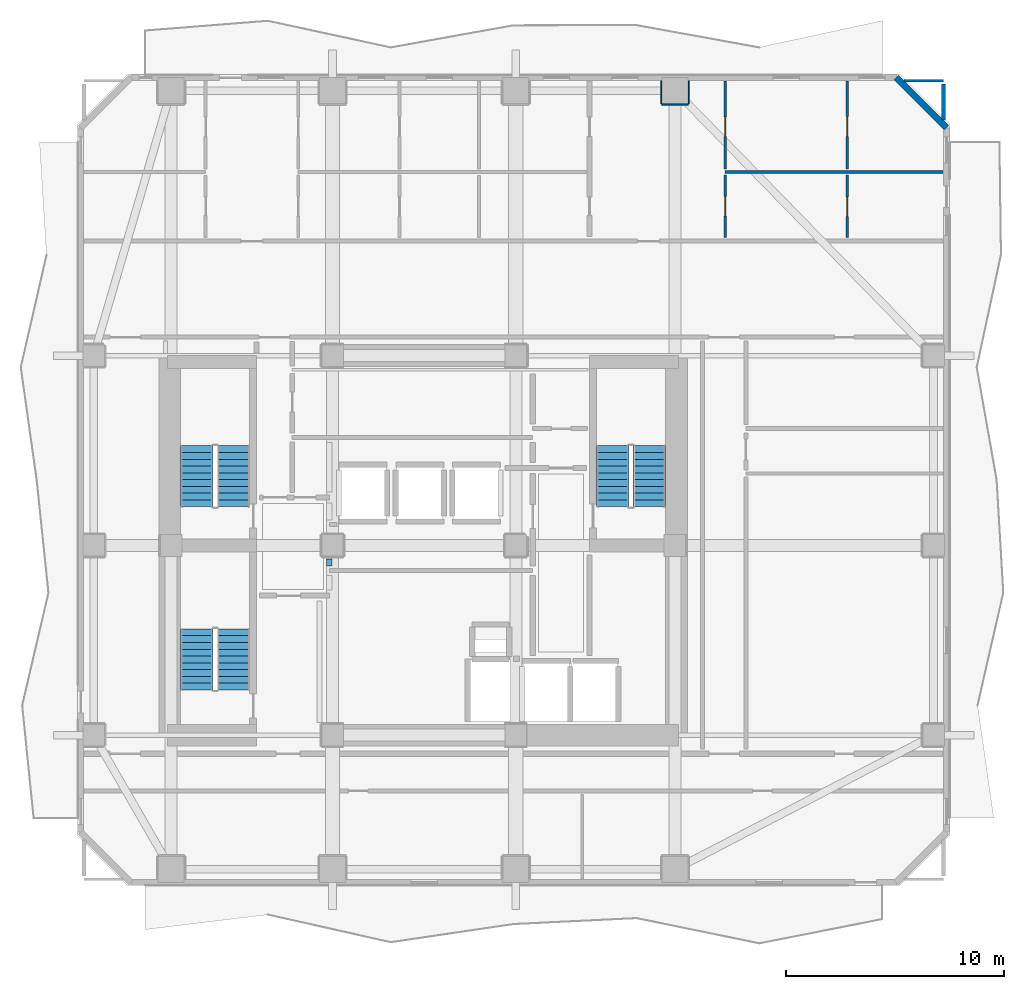
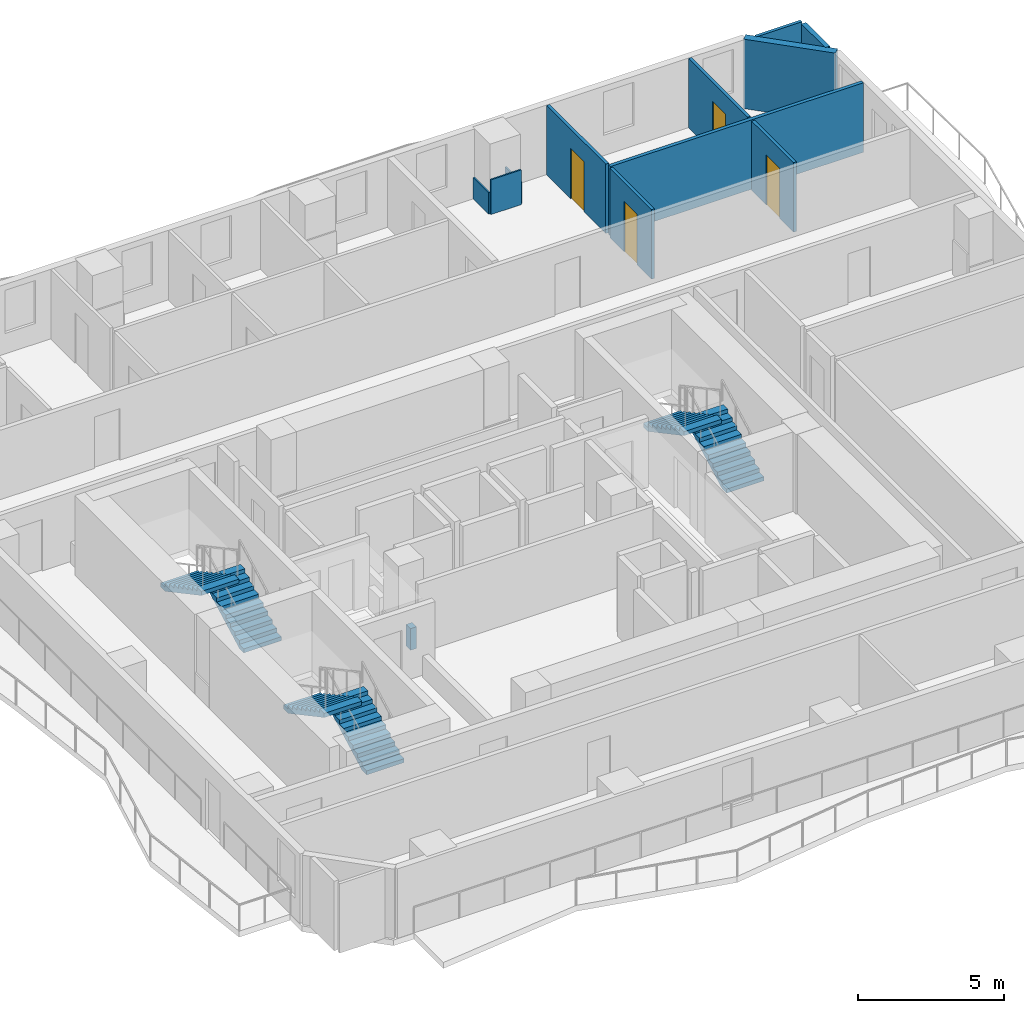
# One storey, part 6 of 9: 12 walls, 6 stair flights, 4 doors, 4 openings, 3 elements without a shape of their own.
"""IFC4 building model written with IfcOpenShell, lengths in metres."""

from ifc_helpers import new_model, si_unit, direction, frame, frame_2d, origin, place, context, subcontext, project, spatial, polyline, rectangle, outline, extrude, material, layer, layer_set, type_object, element, fill, aggregate, save


model = new_model("IFC4")

# Units and contexts
model_context = context("Model", 3, precision=1e-05, world=origin(), true_north=direction((0.0, 1.0)))
body_context = subcontext(model_context, "Body", "Model", "MODEL_VIEW")
ifc_project = project(units=[si_unit("LENGTHUNIT", "METRE"), si_unit("AREAUNIT", "SQUARE_METRE"), si_unit("VOLUMEUNIT", "CUBIC_METRE"), si_unit("PLANEANGLEUNIT", "RADIAN"), si_unit("MASSUNIT", "GRAM", prefix="KILO")], contexts=[model_context])

# Site, building, storey
site_placement = place(None, origin())
site = spatial("IfcSite", under=ifc_project, at=site_placement, CompositionType="ELEMENT")
building_placement = place(site_placement, origin())
building = spatial("IfcBuilding", under=site, at=building_placement, Name="Solanera Arch Residences", CompositionType="ELEMENT")
storey_placement = place(building_placement, frame((0.0, 0.0, 162.52001953125)))
storey = spatial("IfcBuildingStorey", under=building, at=storey_placement, Name="L47", CompositionType="ELEMENT", Elevation=162.52001953125)

# Walls
ifc_material_1 = material(Name="Fire-Rated Gypsum Stud Partition", Category="gypsum")
ifc_layer_1 = layer(ifc_material_1, 0.06005859375)
ifc_layer_set_1 = layer_set([ifc_layer_1], Name="Fire-Rated Gypsum Stud Partition")
wall_type_1 = type_object("IfcWallType", Name="Column Acoustic Furring Wall 60", PredefinedType="PARTITIONING", material=ifc_layer_set_1)
wall_1_placement = place(storey_placement, frame((35.89990234375, 50.91796875, 0.0), z_axis=(0.0, 0.0, 1.0), x_axis=(1.0, 0.0, 0.0)))
element("IfcWall", 1, at=wall_1_placement, inside=storey, type_object=wall_type_1, Name="L47 Column Furring 16S", PredefinedType="PARTITIONING", context=body_context, shape_type="SweptSolid", body=[
    extrude(rectangle(XDim=1.2001953125, YDim=0.06005859375, at=frame_2d((0.60009765625, 0.0))), origin(), (0.0, 0.0, 1.0), 1.449951171875),
])
for number, where, z_axis, x_axis, name in (
    (2, (35.867919921875, 50.949951171875, 0.0), (0.0, 0.0, 1.0), (0.0, 1.0, 0.0), "L47 Column Furring 16W"),
    (3, (37.132080078125, 50.949951171875, 0.0), (0.0, 0.0, 1.0), (0.0, 1.0, 0.0), "L47 Column Furring 16E"),
):
    element("IfcWall", number, at=place(storey_placement, frame(where, z_axis=z_axis, x_axis=x_axis)), inside=storey, type_object=wall_type_1, Name=name, PredefinedType="PARTITIONING", context=body_context, shape_type="SweptSolid", body=[
        extrude(rectangle(XDim=1.0400390625, YDim=0.06005859375, at=frame_2d((0.52001953125, 0.0))), origin(), (0.0, 0.0, 1.0), 0.905029296875),
    ])
ifc_material_2 = material(Name="Autoclaved Aerated Concrete Blockwork", Category="masonry")
ifc_layer_2 = layer(ifc_material_2, 0.179931640625)
ifc_layer_set_2 = layer_set([ifc_layer_2], Name="Autoclaved Aerated Concrete Blockwork")
wall_type_2 = type_object("IfcWallType", Name="Corridor Fire Partition 180", PredefinedType="PARTITIONING", material=ifc_layer_set_2)
wall_2_placement = place(storey_placement, frame((48.800048828125, 50.205078125, 0.0), z_axis=(0.0, 0.0, 1.0), x_axis=(0.0, 1.0, 0.0)))
element("IfcWall", 4, at=wall_2_placement, inside=storey, type_object=wall_type_2, Name="L47 Interior Partition V13 2", PredefinedType="PARTITIONING", context=body_context, shape_type="SweptSolid", body=[
    extrude(rectangle(XDim=1.636962890625, YDim=0.179931640625, at=frame_2d((0.818359375, 0.0))), origin(), (0.0, 0.0, 1.0), 2.89990234375),
])
ifc_material_3 = material(Name="Precast Concrete C35/45", Category="concrete")
ifc_layer_3 = layer(ifc_material_3, 0.280029296875)
ifc_layer_set_3 = layer_set([ifc_layer_3], Name="Precast Concrete C35/45")
wall_type_3 = type_object("IfcWallType", Name="Exterior Wall Precast Masonry-Frame 280", PredefinedType="STANDARD", material=ifc_layer_set_3)
wall_3_placement = place(storey_placement, frame((46.64501953125, 52.14501953125, 0.0), z_axis=(0.0, 0.0, 1.0), x_axis=(0.707106781187, -0.707106781187, 0.0)))
element("IfcWall", 5, at=wall_3_placement, inside=storey, type_object=wall_type_3, Name="L47 Tower Exterior Precast Masonry-Frame Wall CH3", PredefinedType="STANDARD", context=body_context, shape_type="SweptSolid", body=[
    extrude(rectangle(XDim=3.252685546875, YDim=0.280029296875, at=frame_2d((1.62646484375, 0.0))), origin(), (0.0, 0.0, 1.0), 2.89990234375),
])
ifc_material_4 = material(Name="Autoclaved Aerated Concrete Blockwork", Category="masonry")
ifc_layer_4 = layer(ifc_material_4, 0.239990234375)
ifc_layer_set_4 = layer_set([ifc_layer_4], Name="Autoclaved Aerated Concrete Blockwork")
wall_type_4 = type_object("IfcWallType", Name="Shaft Wall Fire-Rated 240", PredefinedType="PARTITIONING", material=ifc_layer_set_4)
wall_4_placement = place(storey_placement, frame((20.64990234375, 29.76806640625, 0.0), z_axis=(0.0, 0.0, 1.0), x_axis=(0.0, 1.0, 0.0)))
element("IfcWall", 6, at=wall_4_placement, inside=storey, type_object=wall_type_4, Name="L47 Interior Partition V3 2", PredefinedType="PARTITIONING", context=body_context, shape_type="SweptSolid", body=[
    extrude(rectangle(XDim=0.300048828125, YDim=0.239990234375, at=frame_2d((0.14990234375, 0.0))), origin(), (0.0, 0.0, 1.0), 0.905029296875),
])
ifc_material_5 = material(Name="Fire-Rated Gypsum Stud Partition", Category="gypsum")
ifc_layer_5 = layer(ifc_material_5, 0.1201171875)
ifc_layer_set_5 = layer_set([ifc_layer_5], Name="Fire-Rated Gypsum Stud Partition")
wall_type_5 = type_object("IfcWallType", Name="Unit Drywall Partition 120", PredefinedType="PARTITIONING", material=ifc_layer_set_5)
wall_5_placement = place(storey_placement, frame((47.0048828125, 52.0, 0.0), z_axis=(0.0, 0.0, 1.0), x_axis=(1.0, 0.0, 0.0)))
element("IfcWall", 7, at=wall_5_placement, inside=storey, type_object=wall_type_5, Name="L47 Interior Partition H20 2", PredefinedType="PARTITIONING", context=body_context, shape_type="SweptSolid", body=[
    extrude(rectangle(XDim=1.795166015625, YDim=0.1201171875, at=frame_2d((0.8974609375, 0.0))), origin(), (0.0, 0.0, 1.0), 2.89990234375),
])

# Wall, opening, door
wall_6_placement = place(storey_placement, frame((38.798095703125, 44.80810546875, 0.0), z_axis=(0.0, 0.0, 1.0), x_axis=(0.0, 1.0, 0.0)))
wall_6 = element("IfcWall", 8, at=wall_6_placement, inside=storey, type_object=wall_type_5, Name="L47 Interior Partition V19 1", PredefinedType="PARTITIONING", context=body_context, shape_type="SweptSolid", body=[
    extrude(rectangle(XDim=2.864013671875, YDim=0.1201171875, at=frame_2d((1.43212890625, 0.0))), origin(), (0.0, 0.0, 1.0), 2.89990234375),
])
opening_1_placement = place(wall_6_placement, frame((0.985107421875, 0.0, 0.0)))
opening_1 = element("IfcOpeningElement", 9, at=opening_1_placement, cuts=wall_6, Name="Opening DI-02", PredefinedType="OPENING", context=body_context, shape_type="SweptSolid", body=[
    extrude(rectangle(XDim=0.89990234375, YDim=2.10009765625, at=frame_2d((0.449951171875, 1.050048828125))), frame((0.0, 0.070068359375, 0.0), z_axis=(0.0, -1.0, 0.0), x_axis=(1.0, 0.0, 0.0)), (0.0, 0.0, 1.0), 0.1401),
])
ifc_material_6 = material(Name="Fire-Rated Architectural Hardwood", Category="wood")
door_type_1 = type_object("IfcDoorType", Name="Suite Room Swing Door DI-02", OperationType="NOTDEFINED", PredefinedType="DOOR", material=ifc_material_6)
door_1_placement = place(opening_1_placement, origin())
door_1 = element("IfcDoor", 10, at=door_1_placement, inside=storey, type_object=door_type_1, Name="DR-L47-IN-029", OperationType="SINGLE_SWING_LEFT", OverallHeight=2.10009765625, OverallWidth=0.89990234375, PredefinedType="DOOR", context=body_context, shape_type="SweptSolid", body=[
    extrude(rectangle(XDim=0.89990234375, YDim=2.10009765625, at=frame_2d((0.449951171875, 1.050048828125))), frame((0.0, 0.02490234375, 0.0), z_axis=(0.0, -1.0, 0.0), x_axis=(1.0, 0.0, 0.0)), (0.0, 0.0, 1.0), 0.050048828125),
])
fill(opening_1, door_1)

wall_7_placement = place(storey_placement, frame((38.798095703125, 47.947998046875, 0.0), z_axis=(0.0, 0.0, 1.0), x_axis=(0.0, 1.0, 0.0)))
wall_7 = element("IfcWall", 11, at=wall_7_placement, inside=storey, type_object=wall_type_5, Name="L47 Interior Partition V19 2", PredefinedType="PARTITIONING", context=body_context, shape_type="SweptSolid", body=[
    extrude(rectangle(XDim=4.044921875, YDim=0.1201171875, at=frame_2d((2.0224609375, 0.0))), origin(), (0.0, 0.0, 1.0), 2.89990234375),
])
opening_2_placement = place(wall_7_placement, frame((1.493896484375, 0.0, 0.0)))
opening_2 = element("IfcOpeningElement", 12, at=opening_2_placement, cuts=wall_7, Name="Opening DI-03", PredefinedType="OPENING", context=body_context, shape_type="SweptSolid", body=[
    extrude(rectangle(XDim=0.89990234375, YDim=2.10009765625, at=frame_2d((0.449951171875, 1.050048828125))), frame((0.0, 0.070068359375, 0.0), z_axis=(0.0, -1.0, 0.0), x_axis=(1.0, 0.0, 0.0)), (0.0, 0.0, 1.0), 0.1401),
])
ifc_material_7 = material(Name="Fire-Rated Architectural Hardwood", Category="wood")
door_type_2 = type_object("IfcDoorType", Name="Bedroom Swing Door DI-03", OperationType="NOTDEFINED", PredefinedType="DOOR", material=ifc_material_7)
door_2_placement = place(opening_2_placement, origin())
door_2 = element("IfcDoor", 13, at=door_2_placement, inside=storey, type_object=door_type_2, Name="DR-L47-IN-031", OperationType="SINGLE_SWING_LEFT", OverallHeight=2.10009765625, OverallWidth=0.89990234375, PredefinedType="DOOR", context=body_context, shape_type="SweptSolid", body=[
    extrude(rectangle(XDim=0.89990234375, YDim=2.10009765625, at=frame_2d((0.449951171875, 1.050048828125))), frame((0.0, 0.02490234375, 0.0), z_axis=(0.0, -1.0, 0.0), x_axis=(1.0, 0.0, 0.0)), (0.0, 0.0, 1.0), 0.050048828125),
])
fill(opening_2, door_2)

wall_8_placement = place(storey_placement, frame((44.39892578125, 44.80810546875, 0.0), z_axis=(0.0, 0.0, 1.0), x_axis=(0.0, 1.0, 0.0)))
wall_8 = element("IfcWall", 14, at=wall_8_placement, inside=storey, type_object=wall_type_5, Name="L47 Interior Partition V20 1", PredefinedType="PARTITIONING", context=body_context, shape_type="SweptSolid", body=[
    extrude(rectangle(XDim=2.864013671875, YDim=0.1201171875, at=frame_2d((1.43212890625, 0.0))), origin(), (0.0, 0.0, 1.0), 2.89990234375),
])
opening_3_placement = place(wall_8_placement, frame((0.971923828125, 0.0, 0.0)))
opening_3 = element("IfcOpeningElement", 15, at=opening_3_placement, cuts=wall_8, Name="Opening DI-02", PredefinedType="OPENING", context=body_context, shape_type="SweptSolid", body=[
    extrude(rectangle(XDim=0.89990234375, YDim=2.10009765625, at=frame_2d((0.449951171875, 1.050048828125))), frame((0.0, 0.070068359375, 0.0), z_axis=(0.0, -1.0, 0.0), x_axis=(1.0, 0.0, 0.0)), (0.0, 0.0, 1.0), 0.1401),
])
door_3_placement = place(opening_3_placement, origin())
door_3 = element("IfcDoor", 16, at=door_3_placement, inside=storey, type_object=door_type_1, Name="DR-L47-IN-030", OperationType="SINGLE_SWING_RIGHT", OverallHeight=2.10009765625, OverallWidth=0.89990234375, PredefinedType="DOOR", context=body_context, shape_type="SweptSolid", body=[
    extrude(rectangle(XDim=0.89990234375, YDim=2.10009765625, at=frame_2d((0.449951171875, 1.050048828125))), frame((0.0, 0.02490234375, 0.0), z_axis=(0.0, -1.0, 0.0), x_axis=(1.0, 0.0, 0.0)), (0.0, 0.0, 1.0), 0.050048828125),
])
fill(opening_3, door_3)

wall_9_placement = place(storey_placement, frame((44.39892578125, 47.947998046875, 0.0), z_axis=(0.0, 0.0, 1.0), x_axis=(0.0, 1.0, 0.0)))
wall_9 = element("IfcWall", 17, at=wall_9_placement, inside=storey, type_object=wall_type_5, Name="L47 Interior Partition V20 2", PredefinedType="PARTITIONING", context=body_context, shape_type="SweptSolid", body=[
    extrude(rectangle(XDim=4.044921875, YDim=0.1201171875, at=frame_2d((2.0224609375, 0.0))), origin(), (0.0, 0.0, 1.0), 2.89990234375),
])
opening_4_placement = place(wall_9_placement, frame((1.507080078125, 0.0, 0.0)))
opening_4 = element("IfcOpeningElement", 18, at=opening_4_placement, cuts=wall_9, Name="Opening DI-03", PredefinedType="OPENING", context=body_context, shape_type="SweptSolid", body=[
    extrude(rectangle(XDim=0.89990234375, YDim=2.10009765625, at=frame_2d((0.449951171875, 1.050048828125))), frame((0.0, 0.070068359375, 0.0), z_axis=(0.0, -1.0, 0.0), x_axis=(1.0, 0.0, 0.0)), (0.0, 0.0, 1.0), 0.1401),
])
door_4_placement = place(opening_4_placement, origin())
door_4 = element("IfcDoor", 19, at=door_4_placement, inside=storey, type_object=door_type_2, Name="DR-L47-IN-032", OperationType="SINGLE_SWING_RIGHT", OverallHeight=2.10009765625, OverallWidth=0.89990234375, PredefinedType="DOOR", context=body_context, shape_type="SweptSolid", body=[
    extrude(rectangle(XDim=0.89990234375, YDim=2.10009765625, at=frame_2d((0.449951171875, 1.050048828125))), frame((0.0, 0.02490234375, 0.0), z_axis=(0.0, -1.0, 0.0), x_axis=(1.0, 0.0, 0.0)), (0.0, 0.0, 1.0), 0.050048828125),
])
fill(opening_4, door_4)

# Wall
ifc_material_8 = material(Name="Autoclaved Aerated Concrete Blockwork", Category="masonry")
ifc_layer_6 = layer(ifc_material_8, 0.139892578125)
ifc_layer_set_6 = layer_set([ifc_layer_6], Name="Autoclaved Aerated Concrete Blockwork")
wall_type_6 = type_object("IfcWallType", Name="Wet-Room Partition 140", PredefinedType="PARTITIONING", material=ifc_layer_set_6)
wall_10_placement = place(storey_placement, frame((38.798095703125, 47.81005859375, 0.0), z_axis=(0.0, 0.0, 1.0), x_axis=(1.0, 0.0, 0.0)))
element("IfcWall", 20, at=wall_10_placement, inside=storey, type_object=wall_type_6, Name="L47 Interior Partition H17", PredefinedType="PARTITIONING", context=body_context, shape_type="SweptSolid", body=[
    extrude(rectangle(XDim=9.994873046875, YDim=0.139892578125, at=frame_2d((4.99755859375, 0.0))), origin(), (0.0, 0.0, 1.0), 2.89990234375),
])

# Stair, stair flights
ifc_material_9 = material(Name="Concrete C40/50 (f'c = 45 MPa)", Category="concrete")
stair_type = type_object("IfcStairType", Name="Tower Dogleg Exit Stair 1480", PredefinedType="HALF_TURN_STAIR", material=ifc_material_9)
stair_1_placement = place(storey_placement, origin())
stair_1 = element("IfcStair", 21, at=stair_1_placement, inside=storey, type_object=stair_type, Name="L47 Tower Core Exit Stair 1", PredefinedType="HALF_TURN_STAIR")
ifc_material_10 = material(Name="Concrete C40/50 (f'c = 45 MPa)", Category="concrete")
stair_flight_type = type_object("IfcStairFlightType", Name="Tower Precast Stair Flight 1480", PredefinedType="STRAIGHT", material=ifc_material_10)
stair_flight_1_placement = place(storey_placement, frame((16.260009765625, 32.47998046875, 0.0), z_axis=(0.0, 0.0, 1.0), x_axis=(0.0, 1.0, 0.0)))
stair_flight_1 = element("IfcStairFlight", 22, at=stair_flight_1_placement, type_object=stair_flight_type, Name="ST-T1 flight 1", NumberOfRisers=10, NumberOfTreads=9, PredefinedType="STRAIGHT", RiserHeight=0.166, TreadLength=0.31, context=body_context, shape_type="SweptSolid", body=[
    extrude(outline(polyline([(0.0, 0.0), (0.0, 0.166015625), (0.31005859375, 0.166015625), (0.31005859375, 0.33203125), (0.6201171875, 0.33203125), (0.6201171875, 0.498046875), (0.929931640625, 0.498046875), (0.929931640625, 0.6640625), (1.239990234375, 0.6640625), (1.239990234375, 0.830078125), (1.550048828125, 0.830078125), (1.550048828125, 0.99609375), (1.860107421875, 0.99609375), (1.860107421875, 1.162109375), (2.169921875, 1.162109375), (2.169921875, 1.327880859375), (2.47998046875, 1.327880859375), (2.47998046875, 1.493896484375), (2.7900390625, 1.493896484375), (2.7900390625, 1.659912109375), (2.7900390625, 1.323974609375), (0.317626953125, 0.0), (0.0, 0.0)])), frame((0.0, 0.739990234375, 0.0), z_axis=(0.0, -1.0, 0.0), x_axis=(1.0, 0.0, 0.0)), (0.0, 0.0, 1.0), 1.47998046875),
])
stair_flight_2_placement = place(storey_placement, frame((14.580078125, 35.27001953125, 1.659912109375), z_axis=(0.0, 0.0, 1.0), x_axis=(0.0, -1.0, 0.0)))
stair_flight_2 = element("IfcStairFlight", 23, at=stair_flight_2_placement, type_object=stair_flight_type, Name="ST-T1 flight 2", NumberOfRisers=10, NumberOfTreads=9, PredefinedType="STRAIGHT", RiserHeight=0.166, TreadLength=0.31, context=body_context, shape_type="SweptSolid", body=[
    extrude(outline(polyline([(0.0, 0.0), (0.0, 0.166015625), (0.31005859375, 0.166015625), (0.31005859375, 0.33203125), (0.6201171875, 0.33203125), (0.6201171875, 0.498046875), (0.929931640625, 0.498046875), (0.929931640625, 0.6640625), (1.239990234375, 0.6640625), (1.239990234375, 0.830078125), (1.550048828125, 0.830078125), (1.550048828125, 0.99609375), (1.860107421875, 0.99609375), (1.860107421875, 1.162109375), (2.169921875, 1.162109375), (2.169921875, 1.327880859375), (2.47998046875, 1.327880859375), (2.47998046875, 1.493896484375), (2.7900390625, 1.493896484375), (2.7900390625, 1.659912109375), (2.7900390625, 1.323974609375), (0.317626953125, 0.0), (0.0, 0.0)])), frame((0.0, 0.739990234375, 0.0), z_axis=(0.0, -1.0, 0.0), x_axis=(1.0, 0.0, 0.0)), (0.0, 0.0, 1.0), 1.47998046875),
])
aggregate(stair_1, [stair_flight_1, stair_flight_2])

stair_2_placement = place(storey_placement, origin())
stair_2 = element("IfcStair", 24, at=stair_2_placement, inside=storey, type_object=stair_type, Name="L47 Tower Core Exit Stair 2", PredefinedType="HALF_TURN_STAIR")
stair_flight_3_placement = place(storey_placement, frame((35.320068359375, 32.47998046875, 0.0), z_axis=(0.0, 0.0, 1.0), x_axis=(0.0, 1.0, 0.0)))
stair_flight_3 = element("IfcStairFlight", 25, at=stair_flight_3_placement, type_object=stair_flight_type, Name="ST-T2 flight 1", NumberOfRisers=10, NumberOfTreads=9, PredefinedType="STRAIGHT", RiserHeight=0.166, TreadLength=0.31, context=body_context, shape_type="SweptSolid", body=[
    extrude(outline(polyline([(0.0, 0.0), (0.0, 0.166015625), (0.31005859375, 0.166015625), (0.31005859375, 0.33203125), (0.6201171875, 0.33203125), (0.6201171875, 0.498046875), (0.929931640625, 0.498046875), (0.929931640625, 0.6640625), (1.239990234375, 0.6640625), (1.239990234375, 0.830078125), (1.550048828125, 0.830078125), (1.550048828125, 0.99609375), (1.860107421875, 0.99609375), (1.860107421875, 1.162109375), (2.169921875, 1.162109375), (2.169921875, 1.327880859375), (2.47998046875, 1.327880859375), (2.47998046875, 1.493896484375), (2.7900390625, 1.493896484375), (2.7900390625, 1.659912109375), (2.7900390625, 1.323974609375), (0.317626953125, 0.0), (0.0, 0.0)])), frame((0.0, 0.739990234375, 0.0), z_axis=(0.0, -1.0, 0.0), x_axis=(1.0, 0.0, 0.0)), (0.0, 0.0, 1.0), 1.47998046875),
])
stair_flight_4_placement = place(storey_placement, frame((33.639892578125, 35.27001953125, 1.659912109375), z_axis=(0.0, 0.0, 1.0), x_axis=(0.0, -1.0, 0.0)))
stair_flight_4 = element("IfcStairFlight", 26, at=stair_flight_4_placement, type_object=stair_flight_type, Name="ST-T2 flight 2", NumberOfRisers=10, NumberOfTreads=9, PredefinedType="STRAIGHT", RiserHeight=0.166, TreadLength=0.31, context=body_context, shape_type="SweptSolid", body=[
    extrude(outline(polyline([(0.0, 0.0), (0.0, 0.166015625), (0.31005859375, 0.166015625), (0.31005859375, 0.33203125), (0.6201171875, 0.33203125), (0.6201171875, 0.498046875), (0.929931640625, 0.498046875), (0.929931640625, 0.6640625), (1.239990234375, 0.6640625), (1.239990234375, 0.830078125), (1.550048828125, 0.830078125), (1.550048828125, 0.99609375), (1.860107421875, 0.99609375), (1.860107421875, 1.162109375), (2.169921875, 1.162109375), (2.169921875, 1.327880859375), (2.47998046875, 1.327880859375), (2.47998046875, 1.493896484375), (2.7900390625, 1.493896484375), (2.7900390625, 1.659912109375), (2.7900390625, 1.323974609375), (0.317626953125, 0.0), (0.0, 0.0)])), frame((0.0, 0.739990234375, 0.0), z_axis=(0.0, -1.0, 0.0), x_axis=(1.0, 0.0, 0.0)), (0.0, 0.0, 1.0), 1.47998046875),
])
aggregate(stair_2, [stair_flight_3, stair_flight_4])

stair_3_placement = place(storey_placement, origin())
stair_3 = element("IfcStair", 27, at=stair_3_placement, inside=storey, type_object=stair_type, Name="L47 Tower Core Exit Stair 3", PredefinedType="HALF_TURN_STAIR")
stair_flight_5_placement = place(storey_placement, frame((16.260009765625, 24.080078125, 0.0), z_axis=(0.0, 0.0, 1.0), x_axis=(0.0, 1.0, 0.0)))
stair_flight_5 = element("IfcStairFlight", 28, at=stair_flight_5_placement, type_object=stair_flight_type, Name="ST-T3 flight 1", NumberOfRisers=10, NumberOfTreads=9, PredefinedType="STRAIGHT", RiserHeight=0.166, TreadLength=0.31, context=body_context, shape_type="SweptSolid", body=[
    extrude(outline(polyline([(0.0, 0.0), (0.0, 0.166015625), (0.31005859375, 0.166015625), (0.31005859375, 0.33203125), (0.6201171875, 0.33203125), (0.6201171875, 0.498046875), (0.929931640625, 0.498046875), (0.929931640625, 0.6640625), (1.239990234375, 0.6640625), (1.239990234375, 0.830078125), (1.550048828125, 0.830078125), (1.550048828125, 0.99609375), (1.860107421875, 0.99609375), (1.860107421875, 1.162109375), (2.169921875, 1.162109375), (2.169921875, 1.327880859375), (2.47998046875, 1.327880859375), (2.47998046875, 1.493896484375), (2.7900390625, 1.493896484375), (2.7900390625, 1.659912109375), (2.7900390625, 1.323974609375), (0.317626953125, 0.0), (0.0, 0.0)])), frame((0.0, 0.739990234375, 0.0), z_axis=(0.0, -1.0, 0.0), x_axis=(1.0, 0.0, 0.0)), (0.0, 0.0, 1.0), 1.47998046875),
])
stair_flight_6_placement = place(storey_placement, frame((14.580078125, 26.8701171875, 1.659912109375), z_axis=(0.0, 0.0, 1.0), x_axis=(0.0, -1.0, 0.0)))
stair_flight_6 = element("IfcStairFlight", 29, at=stair_flight_6_placement, type_object=stair_flight_type, Name="ST-T3 flight 2", NumberOfRisers=10, NumberOfTreads=9, PredefinedType="STRAIGHT", RiserHeight=0.166, TreadLength=0.31, context=body_context, shape_type="SweptSolid", body=[
    extrude(outline(polyline([(0.0, 0.0), (0.0, 0.166015625), (0.31005859375, 0.166015625), (0.31005859375, 0.33203125), (0.6201171875, 0.33203125), (0.6201171875, 0.498046875), (0.929931640625, 0.498046875), (0.929931640625, 0.6640625), (1.239990234375, 0.6640625), (1.239990234375, 0.830078125), (1.550048828125, 0.830078125), (1.550048828125, 0.99609375), (1.860107421875, 0.99609375), (1.860107421875, 1.162109375), (2.169921875, 1.162109375), (2.169921875, 1.327880859375), (2.47998046875, 1.327880859375), (2.47998046875, 1.493896484375), (2.7900390625, 1.493896484375), (2.7900390625, 1.659912109375), (2.7900390625, 1.323974609375), (0.317626953125, 0.0), (0.0, 0.0)])), frame((0.0, 0.739990234375, 0.0), z_axis=(0.0, -1.0, 0.0), x_axis=(1.0, 0.0, 0.0)), (0.0, 0.0, 1.0), 1.47998046875),
])
aggregate(stair_3, [stair_flight_5, stair_flight_6])

save(model, "model.ifc")
